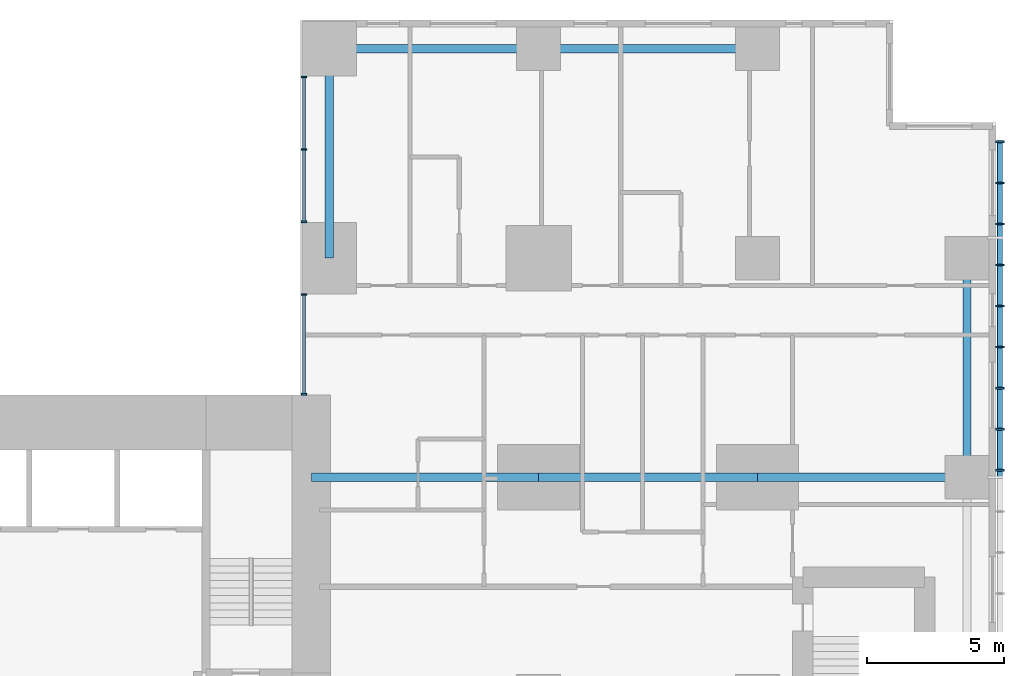
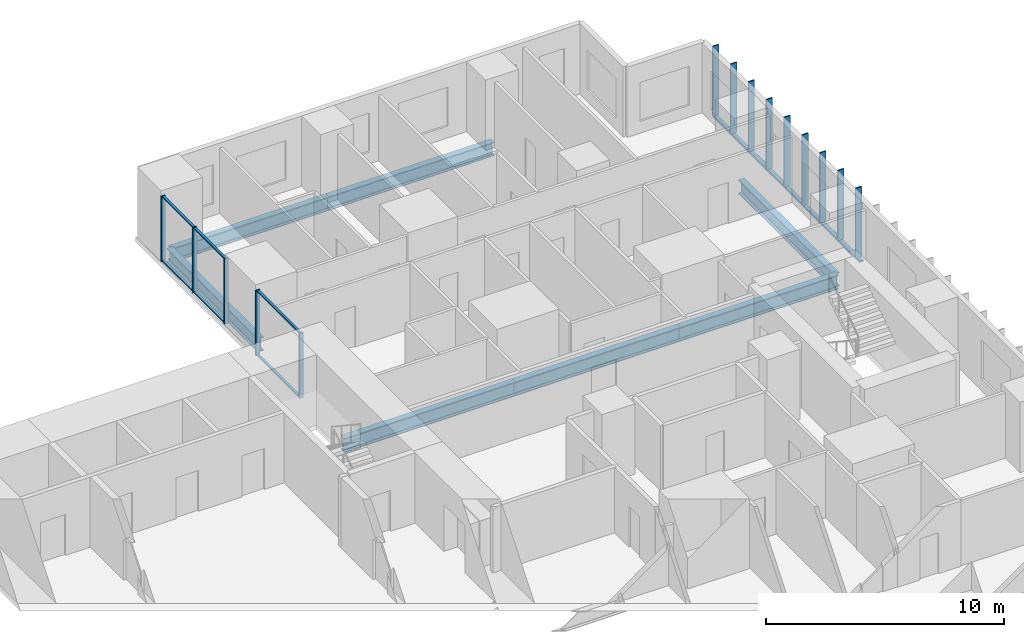
# One storey, part 3 of 12: 21 members, 7 beams, 2 elements without a shape of their own.
"""IFC4 building model written with IfcOpenShell, lengths in metres."""

from ifc_helpers import new_model, si_unit, direction, frame, origin, origin_2d, place, context, subcontext, project, spatial, rectangle, hollow_rectangle, i_section, extrude, material, layer, layer_set, material_profile, profile_set, type_object, element, aggregate, save


model = new_model("IFC4")

# Units and contexts
model_context = context("Model", 3, precision=1e-05, world=origin(), true_north=direction((0.0, 1.0)))
body_context = subcontext(model_context, "Body", "Model", "MODEL_VIEW")
ifc_project = project(units=[si_unit("LENGTHUNIT", "METRE"), si_unit("AREAUNIT", "SQUARE_METRE"), si_unit("VOLUMEUNIT", "CUBIC_METRE"), si_unit("PLANEANGLEUNIT", "RADIAN"), si_unit("MASSUNIT", "GRAM", prefix="KILO")], contexts=[model_context])

# Site, building, storey
site_placement = place(None, origin())
site = spatial("IfcSite", under=ifc_project, at=site_placement, CompositionType="ELEMENT")
building_placement = place(site_placement, origin())
building = spatial("IfcBuilding", under=site, at=building_placement, Name="Cleftline Residences", CompositionType="ELEMENT")
storey_placement = place(building_placement, frame((0.0, 0.0, 266.39990234375)))
storey = spatial("IfcBuildingStorey", under=building, at=storey_placement, Name="L70", CompositionType="ELEMENT", Elevation=266.39990234375)

# Member
ifc_material_1 = material(Name="Steel S355, hot-dip galvanised", Category="steel")
ifc_material_profile_1 = material_profile(ifc_material_1, hollow_rectangle(XDim=0.10009765625, YDim=0.199951171875, WallThickness=0.008056640625, InnerFilletRadius=0.008056640625, OuterFilletRadius=0.011962890625, at=origin_2d()))
ifc_profile_set_1 = profile_set([ifc_material_profile_1], Name="Steel S355, hot-dip galvanised")
member_type_1 = type_object("IfcMemberType", Name="BAGUETTE CARRIER RHS 200X100X8", PredefinedType="USERDEFINED", material=ifc_profile_set_1)
member_1_placement = place(storey_placement, frame((66.85009765625, 32.0, -0.0498046875), z_axis=(0.0, 1.0, 0.0), x_axis=(0.0, 0.0, 1.0)))
element("IfcMember", 1, at=member_1_placement, inside=storey, type_object=member_type_1, Name="Baguette carrier", ObjectType="BAGUETTE CARRIER", PredefinedType="USERDEFINED", context=body_context, shape_type="SweptSolid", body=[
    extrude(hollow_rectangle(XDim=0.10009765625, YDim=0.199951171875, WallThickness=0.008056640625, InnerFilletRadius=0.008056640625, OuterFilletRadius=0.011962890625, at=origin_2d()), origin(), (0.0, 0.0, 1.0), 12.300048828125),
])

# Beams
ifc_material_2 = material(Name="Steel S355", Category="steel")
ifc_material_profile_2 = material_profile(ifc_material_2, i_section(OverallWidth=0.300048828125, OverallDepth=0.699951171875, WebThickness=0.01708984375, FlangeThickness=0.031982421875, FilletRadius=0.027099609375, at=origin_2d()))
ifc_profile_set_2 = profile_set([ifc_material_profile_2], Name="Steel S355")
beam_type_1 = type_object("IfcBeamType", Name="BEAM HEB 700", PredefinedType="BEAM", material=ifc_profile_set_2)
for number, where, z_axis, x_axis, name in (
    (2, (65.64990234375, 32.0, -0.599853515625), (0.0, 1.0, 0.0), (-1.0, 0.0, 0.0), "Edge beam"),
    (3, (58.0, 47.64990234375, -0.599853515625), (-1.0, 0.0, 0.0), (0.0, -1.0, 0.0), "Edge beam"),
):
    element("IfcBeam", number, at=place(storey_placement, frame(where, z_axis=z_axis, x_axis=x_axis)), inside=storey, type_object=beam_type_1, Name=name, PredefinedType="BEAM", context=body_context, shape_type="SweptSolid", body=[
        extrude(i_section(OverallWidth=0.300048828125, OverallDepth=0.699951171875, WebThickness=0.01708984375, FlangeThickness=0.031982421875, FilletRadius=0.027099609375, at=origin_2d()), origin(), (0.0, 0.0, 1.0), 8.0),
    ])
for number, where, z_axis, x_axis, name in (
    (4, (50.0, 47.64990234375, -0.599853515625), (-1.0, 0.0, 0.0), (0.0, -1.0, 0.0), "Edge beam"),
    (5, (42.35009765625, 47.64990234375, -0.599853515625), (0.0, -1.0, 0.0), (1.0, 0.0, 0.0), "Edge beam"),
):
    element("IfcBeam", number, at=place(storey_placement, frame(where, z_axis=z_axis, x_axis=x_axis)), inside=storey, type_object=beam_type_1, Name=name, PredefinedType="BEAM", context=body_context, shape_type="SweptSolid", body=[
        extrude(i_section(OverallWidth=0.300048828125, OverallDepth=0.699951171875, WebThickness=0.01708984375, FlangeThickness=0.031982421875, FilletRadius=0.027099609375, at=origin_2d()), origin(), (0.0, 0.0, 1.0), 7.64990234375),
    ])
ifc_material_3 = material(Name="Steel S355", Category="steel")
ifc_material_profile_3 = material_profile(ifc_material_3, i_section(OverallWidth=0.303955078125, OverallDepth=0.716064453125, WebThickness=0.02099609375, FlangeThickness=0.0400390625, FilletRadius=0.027099609375, at=origin_2d()))
ifc_profile_set_3 = profile_set([ifc_material_profile_3], Name="Steel S355")
beam_type_2 = type_object("IfcBeamType", Name="BEAM HEM 700", PredefinedType="BEAM", material=ifc_profile_set_3)
beam_1_placement = place(storey_placement, frame((65.64990234375, 32.0, -0.60791015625), z_axis=(-1.0, 0.0, 0.0), x_axis=(0.0, -1.0, 0.0)))
element("IfcBeam", 6, at=beam_1_placement, inside=storey, type_object=beam_type_2, Name="Band beam", PredefinedType="BEAM", context=body_context, shape_type="SweptSolid", body=[
    extrude(i_section(OverallWidth=0.303955078125, OverallDepth=0.716064453125, WebThickness=0.02099609375, FlangeThickness=0.0400390625, FilletRadius=0.027099609375, at=origin_2d()), origin(), (0.0, 0.0, 1.0), 7.64990234375),
])
beam_2_placement = place(storey_placement, frame((58.0, 32.0, -0.60791015625), z_axis=(-1.0, 0.0, 0.0), x_axis=(0.0, -1.0, 0.0)))
element("IfcBeam", 7, at=beam_2_placement, inside=storey, type_object=beam_type_2, Name="Band beam", PredefinedType="BEAM", context=body_context, shape_type="SweptSolid", body=[
    extrude(i_section(OverallWidth=0.303955078125, OverallDepth=0.716064453125, WebThickness=0.02099609375, FlangeThickness=0.0400390625, FilletRadius=0.027099609375, at=origin_2d()), origin(), (0.0, 0.0, 1.0), 8.0),
])
beam_3_placement = place(storey_placement, frame((50.0, 32.0, -0.60791015625), z_axis=(-1.0, 0.0, 0.0), x_axis=(0.0, -1.0, 0.0)))
element("IfcBeam", 8, at=beam_3_placement, inside=storey, type_object=beam_type_2, Name="Band beam", PredefinedType="BEAM", context=body_context, shape_type="SweptSolid", body=[
    extrude(i_section(OverallWidth=0.303955078125, OverallDepth=0.716064453125, WebThickness=0.02099609375, FlangeThickness=0.0400390625, FilletRadius=0.027099609375, at=origin_2d()), origin(), (0.0, 0.0, 1.0), 8.300048828125),
])

# Curtain wall, members
ifc_material_4 = material(Name="Aluminium framed curtain wall", Category="aluminium")
ifc_layer = layer(ifc_material_4, 0.199951171875)
ifc_layer_set = layer_set([ifc_layer], Name="CW1 CLEFT GLAZING")
curtain_wall_type = type_object("IfcCurtainWallType", Name="CW1 CLEFT GLAZING", PredefinedType="NOTDEFINED", material=ifc_layer_set)
curtain_wall_1_placement = place(storey_placement, origin())
curtain_wall_1 = element("IfcCurtainWall", 9, at=curtain_wall_1_placement, inside=storey, type_object=curtain_wall_type, Name="Curtain wall CW1", PredefinedType="NOTDEFINED")
ifc_material_5 = material(Name="Aluminium mullion", Category="aluminium")
ifc_material_profile_4 = material_profile(ifc_material_5, rectangle(XDim=0.199951171875, YDim=0.06005859375, at=origin_2d()))
ifc_profile_set_4 = profile_set([ifc_material_profile_4], Name="Aluminium mullion")
member_type_2 = type_object("IfcMemberType", Name="CW1 MULLION", PredefinedType="MULLION", material=ifc_profile_set_4)
member_2_placement = place(storey_placement, frame((41.425048828125, 46.6201171875, 0.0), z_axis=(0.0, 0.0, 1.0), x_axis=(1.0, 0.0, 0.0)))
member_2 = element("IfcMember", 10, at=member_2_placement, type_object=member_type_2, Name="CW1 mullion 1", PredefinedType="MULLION", context=body_context, shape_type="SweptSolid", body=[
    extrude(rectangle(XDim=0.199951171875, YDim=0.06005859375, at=origin_2d()), origin(), (0.0, 0.0, 1.0), 3.35009765625),
])
member_3_placement = place(storey_placement, frame((41.425048828125, 43.97509765625, 0.0), z_axis=(0.0, 0.0, 1.0), x_axis=(1.0, 0.0, 0.0)))
member_3 = element("IfcMember", 11, at=member_3_placement, type_object=member_type_2, Name="CW1 mullion 2", PredefinedType="MULLION", context=body_context, shape_type="SweptSolid", body=[
    extrude(rectangle(XDim=0.199951171875, YDim=0.06005859375, at=origin_2d()), origin(), (0.0, 0.0, 1.0), 3.35009765625),
])
member_4_placement = place(storey_placement, frame((41.425048828125, 41.330078125, 0.0), z_axis=(0.0, 0.0, 1.0), x_axis=(1.0, 0.0, 0.0)))
member_4 = element("IfcMember", 12, at=member_4_placement, type_object=member_type_2, Name="CW1 mullion 3", PredefinedType="MULLION", context=body_context, shape_type="SweptSolid", body=[
    extrude(rectangle(XDim=0.199951171875, YDim=0.06005859375, at=origin_2d()), origin(), (0.0, 0.0, 1.0), 3.35009765625),
])

curtain_wall_2_placement = place(storey_placement, origin())
curtain_wall_2 = element("IfcCurtainWall", 13, at=curtain_wall_2_placement, inside=storey, type_object=curtain_wall_type, Name="Curtain wall CW1", PredefinedType="NOTDEFINED")
member_5_placement = place(storey_placement, frame((41.425048828125, 38.669921875, 0.0), z_axis=(0.0, 0.0, 1.0), x_axis=(1.0, 0.0, 0.0)))
member_5 = element("IfcMember", 14, at=member_5_placement, type_object=member_type_2, Name="CW1 mullion 1", PredefinedType="MULLION", context=body_context, shape_type="SweptSolid", body=[
    extrude(rectangle(XDim=0.199951171875, YDim=0.06005859375, at=origin_2d()), origin(), (0.0, 0.0, 1.0), 3.35009765625),
])
member_6_placement = place(storey_placement, frame((41.425048828125, 35.030029296875, 0.0), z_axis=(0.0, 0.0, 1.0), x_axis=(1.0, 0.0, 0.0)))
member_6 = element("IfcMember", 15, at=member_6_placement, type_object=member_type_2, Name="CW1 mullion 2", PredefinedType="MULLION", context=body_context, shape_type="SweptSolid", body=[
    extrude(rectangle(XDim=0.199951171875, YDim=0.06005859375, at=origin_2d()), origin(), (0.0, 0.0, 1.0), 3.35009765625),
])

# Member
ifc_material_6 = material(Name="Aluminium transom", Category="aluminium")
ifc_material_profile_5 = material_profile(ifc_material_6, rectangle(XDim=0.1201171875, YDim=0.06005859375, at=origin_2d()))
ifc_profile_set_5 = profile_set([ifc_material_profile_5], Name="Aluminium transom")
member_type_3 = type_object("IfcMemberType", Name="CW1 TRANSOM", PredefinedType="USERDEFINED", material=ifc_profile_set_5)
member_7_placement = place(storey_placement, frame((41.425048828125, 46.590087890625, 0.030029296875), z_axis=(0.0, -1.0, 0.0), x_axis=(1.0, 0.0, 0.0)))
member_7 = element("IfcMember", 16, at=member_7_placement, type_object=member_type_3, Name="CW1 transom 1.1", ObjectType="TRANSOM", PredefinedType="USERDEFINED", context=body_context, shape_type="SweptSolid", body=[
    extrude(rectangle(XDim=0.1201171875, YDim=0.06005859375, at=origin_2d()), origin(), (0.0, 0.0, 1.0), 2.585205078125),
])

member_8_placement = place(storey_placement, frame((41.425048828125, 46.590087890625, 3.320068359375), z_axis=(0.0, -1.0, 0.0), x_axis=(1.0, 0.0, 0.0)))
member_8 = element("IfcMember", 17, at=member_8_placement, type_object=member_type_3, Name="CW1 transom 1.2", ObjectType="TRANSOM", PredefinedType="USERDEFINED", context=body_context, shape_type="SweptSolid", body=[
    extrude(rectangle(XDim=0.1201171875, YDim=0.06005859375, at=origin_2d()), origin(), (0.0, 0.0, 1.0), 2.585205078125),
])

member_9_placement = place(storey_placement, frame((41.425048828125, 43.945068359375, 0.030029296875), z_axis=(0.0, -1.0, 0.0), x_axis=(1.0, 0.0, 0.0)))
member_9 = element("IfcMember", 18, at=member_9_placement, type_object=member_type_3, Name="CW1 transom 2.1", ObjectType="TRANSOM", PredefinedType="USERDEFINED", context=body_context, shape_type="SweptSolid", body=[
    extrude(rectangle(XDim=0.1201171875, YDim=0.06005859375, at=origin_2d()), origin(), (0.0, 0.0, 1.0), 2.5849609375),
])

member_10_placement = place(storey_placement, frame((41.425048828125, 43.945068359375, 3.320068359375), z_axis=(0.0, -1.0, 0.0), x_axis=(1.0, 0.0, 0.0)))
member_10 = element("IfcMember", 19, at=member_10_placement, type_object=member_type_3, Name="CW1 transom 2.2", ObjectType="TRANSOM", PredefinedType="USERDEFINED", context=body_context, shape_type="SweptSolid", body=[
    extrude(rectangle(XDim=0.1201171875, YDim=0.06005859375, at=origin_2d()), origin(), (0.0, 0.0, 1.0), 2.5849609375),
])

aggregate(curtain_wall_1, [member_2, member_3, member_4, member_7, member_8, member_9, member_10])

member_11_placement = place(storey_placement, frame((41.425048828125, 38.639892578125, 0.030029296875), z_axis=(0.0, -1.0, 0.0), x_axis=(1.0, 0.0, 0.0)))
member_11 = element("IfcMember", 20, at=member_11_placement, type_object=member_type_3, Name="CW1 transom 1.1", ObjectType="TRANSOM", PredefinedType="USERDEFINED", context=body_context, shape_type="SweptSolid", body=[
    extrude(rectangle(XDim=0.1201171875, YDim=0.06005859375, at=origin_2d()), origin(), (0.0, 0.0, 1.0), 3.579833984375),
])

member_12_placement = place(storey_placement, frame((41.425048828125, 38.639892578125, 3.320068359375), z_axis=(0.0, -1.0, 0.0), x_axis=(1.0, 0.0, 0.0)))
member_12 = element("IfcMember", 21, at=member_12_placement, type_object=member_type_3, Name="CW1 transom 1.2", ObjectType="TRANSOM", PredefinedType="USERDEFINED", context=body_context, shape_type="SweptSolid", body=[
    extrude(rectangle(XDim=0.1201171875, YDim=0.06005859375, at=origin_2d()), origin(), (0.0, 0.0, 1.0), 3.579833984375),
])

aggregate(curtain_wall_2, [member_5, member_6, member_11, member_12])

# Members
ifc_material_7 = material(Name="Extruded terracotta", Category="masonry")
ifc_material_profile_6 = material_profile(ifc_material_7, rectangle(XDim=0.06005859375, YDim=0.300048828125, at=origin_2d()))
ifc_profile_set_6 = profile_set([ifc_material_profile_6], Name="Extruded terracotta")
member_type_4 = type_object("IfcMemberType", Name="TERRACOTTA BAGUETTE 60X300", PredefinedType="USERDEFINED", material=ifc_profile_set_6)
for number, where, z_axis, x_axis, name in (
    (22, (66.85009765625, 32.25, 0.0), (0.0, 0.0, 1.0), (0.0, 1.0, 0.0), "Terracotta baguette"),
    (23, (66.85009765625, 33.75, 0.0), (0.0, 0.0, 1.0), (0.0, 1.0, 0.0), "Terracotta baguette"),
    (24, (66.85009765625, 35.25, 0.0), (0.0, 0.0, 1.0), (0.0, 1.0, 0.0), "Terracotta baguette"),
    (25, (66.85009765625, 36.75, 0.0), (0.0, 0.0, 1.0), (0.0, 1.0, 0.0), "Terracotta baguette"),
    (26, (66.85009765625, 38.25, 0.0), (0.0, 0.0, 1.0), (0.0, 1.0, 0.0), "Terracotta baguette"),
    (27, (66.85009765625, 39.75, 0.0), (0.0, 0.0, 1.0), (0.0, 1.0, 0.0), "Terracotta baguette"),
    (28, (66.85009765625, 41.25, 0.0), (0.0, 0.0, 1.0), (0.0, 1.0, 0.0), "Terracotta baguette"),
    (29, (66.85009765625, 42.75, 0.0), (0.0, 0.0, 1.0), (0.0, 1.0, 0.0), "Terracotta baguette"),
    (30, (66.85009765625, 44.25, 0.0), (0.0, 0.0, 1.0), (0.0, 1.0, 0.0), "Terracotta baguette"),
):
    element("IfcMember", number, at=place(storey_placement, frame(where, z_axis=z_axis, x_axis=x_axis)), inside=storey, type_object=member_type_4, Name=name, ObjectType="BAGUETTE", PredefinedType="USERDEFINED", context=body_context, shape_type="SweptSolid", body=[
        extrude(rectangle(XDim=0.06005859375, YDim=0.300048828125, at=origin_2d()), origin(), (0.0, 0.0, 1.0), 3.60009765625),
    ])

save(model, "model.ifc")
